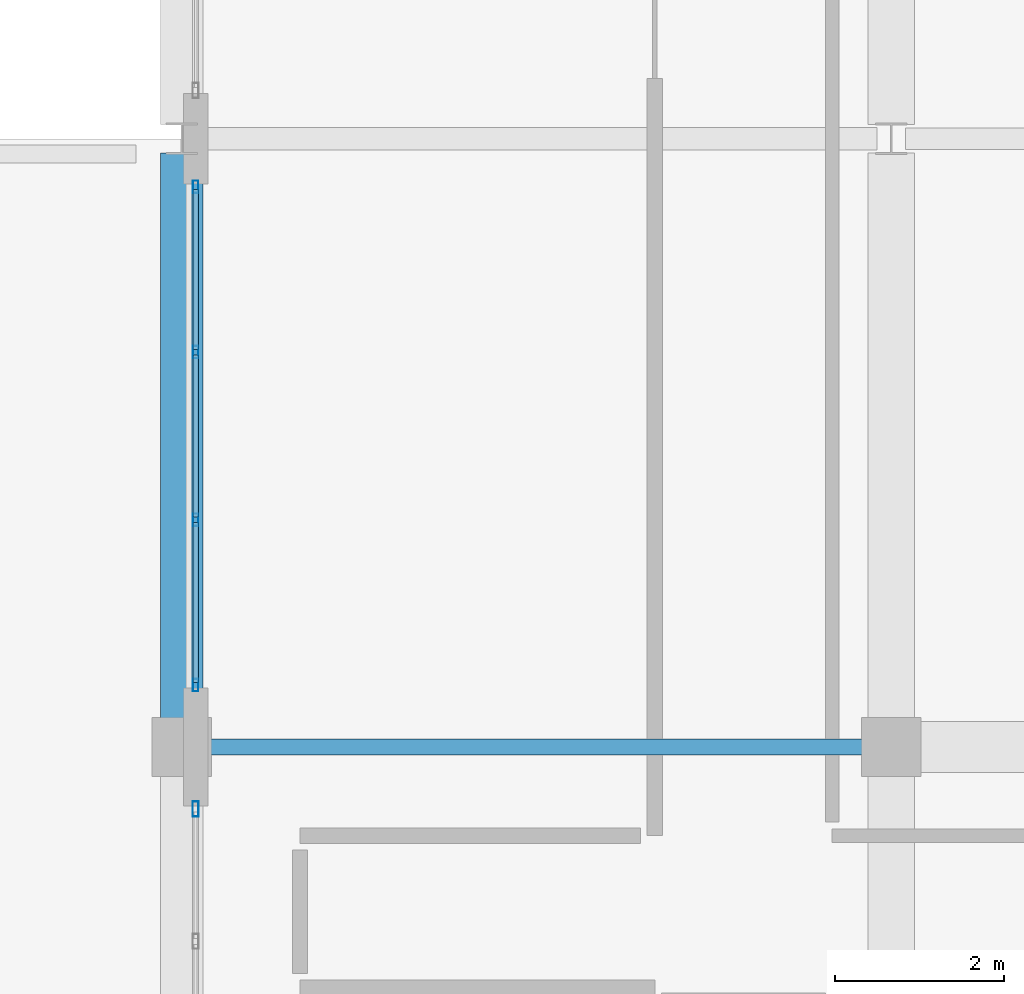
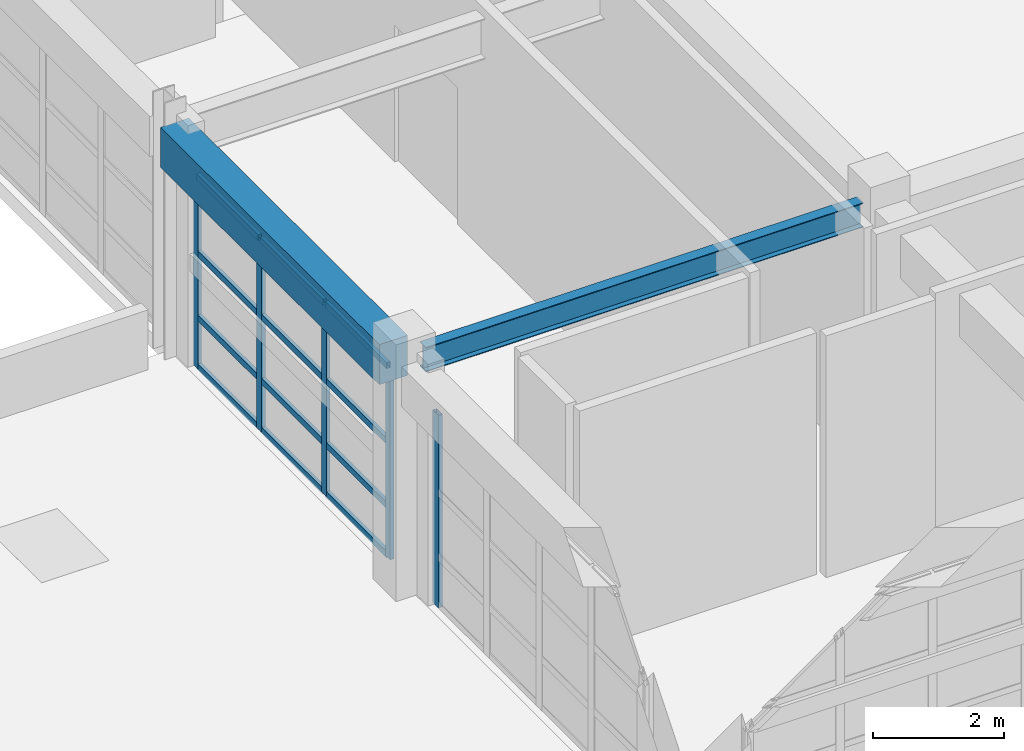
# One storey, part 33 of 123: 17 members, 2 beams, 2 elements without a shape of their own.
"""IFC4 building model written with IfcOpenShell, lengths in metres."""

import ifcopenshell
import ifcopenshell.guid

model = None  # the IFC model being written
_history = None  # IfcOwnerHistory: only IFC2X3 demands one
_inside = {}  # id of a spatial element -> (the spatial element, [elements in it])
_under = {}  # id of a project, library or spatial element -> (it, [spatial elements below it])
_declared = {}  # id of a project -> (the project, [libraries it declares])
_typed = {}  # id of a type object -> (the type object, [elements of that type])
_made_of = {}  # id of a material, layer set ... -> (it, [elements and type objects made of it])


def new_model(schema):
    """Start an empty IFC model of exactly this schema.

    Asked for "IFC4X3", IfcOpenShell would pick the latest addendum, in which some entities
    have other attributes; the version numbers below select the first issue.
    IFC2X3 requires an IfcOwnerHistory on every rooted entity: one is made here for all.
    """
    global model, _history
    if schema == "IFC4X3":
        model = ifcopenshell.file(schema_version=(4, 3, 0, 0))
    else:
        model = ifcopenshell.file(schema=schema)
    _inside.clear()
    _under.clear()
    _declared.clear()
    _typed.clear()
    _made_of.clear()
    _history = None
    if model.schema == "IFC2X3":
        org = make("IfcOrganization", Name="unknown")
        user = make(
            "IfcPersonAndOrganization",
            ThePerson=make("IfcPerson", FamilyName="unknown"),
            TheOrganization=org,
        )
        app = make(
            "IfcApplication",
            ApplicationDeveloper=org,
            Version="unknown",
            ApplicationFullName="unknown",
            ApplicationIdentifier="unknown",
        )
        _history = make(
            "IfcOwnerHistory",
            OwningUser=user,
            OwningApplication=app,
            ChangeAction="ADDED",
            CreationDate=0,
        )
    return model


def make(cls, **values):
    """One entity of the class cls with the attributes given. An attribute that is None is left unset."""
    return model.create_entity(
        cls, **{name: value for name, value in values.items() if value is not None}
    )


def rooted(cls, **values):
    """An entity with a GlobalId (a new one), such as an element, a storey or a relation."""
    return make(cls, GlobalId=ifcopenshell.guid.new(), OwnerHistory=_history, **values)


def si_unit(unit_type, name, prefix=None):
    """IfcSIUnit, for example si_unit("LENGTHUNIT", "METRE", prefix="MILLI")."""
    return make("IfcSIUnit", UnitType=unit_type, Prefix=prefix, Name=name)


def assignment(units):
    """IfcUnitAssignment: the units of a project."""
    return None if units is None else make("IfcUnitAssignment", Units=units)


def point(xyz):
    """IfcCartesianPoint."""
    return None if xyz is None else make("IfcCartesianPoint", Coordinates=xyz)


def direction(xyz):
    """IfcDirection."""
    return None if xyz is None else make("IfcDirection", DirectionRatios=xyz)


def frame(location, z_axis=None, x_axis=None):
    """IfcAxis2Placement3D, a coordinate frame: its origin and axes. An axis left out is left unset."""
    return make(
        "IfcAxis2Placement3D",
        Location=point(location),
        Axis=direction(z_axis),
        RefDirection=direction(x_axis),
    )


def frame_2d(location, x_axis=None):
    """IfcAxis2Placement2D, a coordinate frame in the plane: its origin and x axis."""
    return make(
        "IfcAxis2Placement2D", Location=point(location), RefDirection=direction(x_axis)
    )


def origin():
    """The frame at (0, 0, 0) with its axes left unset."""
    return frame((0.0, 0.0, 0.0))


def origin_2d():
    """The frame at (0, 0) in the plane with its x axis left unset."""
    return frame_2d((0.0, 0.0))


def place(relative_to, where):
    """IfcLocalPlacement: puts the frame where relative to a parent placement (None: the world)."""
    return make(
        "IfcLocalPlacement", PlacementRelTo=relative_to, RelativePlacement=where
    )


def context(
    kind, dimensions, precision=None, world=None, true_north=None, identifier=None
):
    """IfcGeometricRepresentationContext, for example the 3D "Model" context."""
    return make(
        "IfcGeometricRepresentationContext",
        ContextIdentifier=identifier,
        ContextType=kind,
        CoordinateSpaceDimension=dimensions,
        Precision=precision,
        WorldCoordinateSystem=world,
        TrueNorth=true_north,
    )


def subcontext(parent, identifier, kind, view, scale=None):
    """IfcGeometricRepresentationSubContext, for example "Body" below "Model"."""
    return make(
        "IfcGeometricRepresentationSubContext",
        ContextIdentifier=identifier,
        ContextType=kind,
        ParentContext=parent,
        TargetScale=scale,
        TargetView=view,
    )


def project(units=None, contexts=None):
    """IfcProject with its units and contexts."""
    return rooted(
        "IfcProject",
        Name="project",
        RepresentationContexts=contexts,
        UnitsInContext=assignment(units),
    )


def spatial(cls, under=None, at=None, **own):
    """A site, building, storey or space (cls), placed at a placement, below another one or the project."""
    s = rooted(cls, ObjectPlacement=at, **own)
    if under is not None:
        _under.setdefault(under.id(), (under, []))[1].append(s)
    return s


def profile(cls, at=None, kind="AREA", **sizes):
    """A parametric profile (cls). Its sizes go by their IFC names, for example OverallWidth=200.0."""
    return make(cls, ProfileType=kind, Position=at, **sizes)


def rectangle(**sizes):
    """IfcRectangleProfileDef."""
    return profile("IfcRectangleProfileDef", **sizes)


def hollow_rectangle(**sizes):
    """IfcRectangleHollowProfileDef."""
    return profile("IfcRectangleHollowProfileDef", **sizes)


def i_section(**sizes):
    """IfcIShapeProfileDef."""
    return profile("IfcIShapeProfileDef", **sizes)


def extrude(swept, where, along, depth):
    """IfcExtrudedAreaSolid: the profile swept, set in the frame where, extruded along a direction by depth."""
    return make(
        "IfcExtrudedAreaSolid",
        SweptArea=swept,
        Position=where,
        ExtrudedDirection=direction(along),
        Depth=depth,
    )


def shape(context_of_items, identifier, shape_type, items):
    """IfcShapeRepresentation: the items that make up one representation, for example the "Body"."""
    return make(
        "IfcShapeRepresentation",
        ContextOfItems=context_of_items,
        RepresentationIdentifier=identifier,
        RepresentationType=shape_type,
        Items=items,
    )


def material(Name=None, Category=None):
    """IfcMaterial."""
    return make("IfcMaterial", Name=Name, Category=Category)


def layer(
    of_material, thickness, ventilated=None, Name=None, Category=None, Priority=None
):
    """IfcMaterialLayer: one layer of a wall or slab, of a material (None: an air gap)."""
    return make(
        "IfcMaterialLayer",
        Material=of_material,
        LayerThickness=thickness,
        IsVentilated=ventilated,
        Name=Name,
        Category=Category,
        Priority=Priority,
    )


def layer_set(layers, Name=None):
    """IfcMaterialLayerSet."""
    return make("IfcMaterialLayerSet", MaterialLayers=layers, LayerSetName=Name)


def material_profile(
    of_material, cross_section, Name=None, Category=None, Priority=None
):
    """IfcMaterialProfile: a cross section and its material."""
    return make(
        "IfcMaterialProfile",
        Name=Name,
        Material=of_material,
        Profile=cross_section,
        Priority=Priority,
        Category=Category,
    )


def profile_set(profiles, Name=None, composite=None):
    """IfcMaterialProfileSet."""
    return make(
        "IfcMaterialProfileSet",
        Name=Name,
        MaterialProfiles=profiles,
        CompositeProfile=composite,
    )


def made_of(thing, what):
    """Note that an element or type object is made of a material, layer set ...; save() writes the relation."""
    if what is not None:
        _made_of.setdefault(what.id(), (what, []))[1].append(thing)
    return thing


def type_object(cls, material=None, **own):
    """A type object (cls), such as IfcWallType, which elements share."""
    return made_of(rooted(cls, **own), material)


def element(
    cls,
    number,
    at=None,
    inside=None,
    cuts=None,
    type_object=None,
    material=None,
    context=None,
    identifier="Body",
    shape_type=None,
    held_by="IfcProductDefinitionShape",
    body=None,
    shapes=None,
    **own,
):
    """One element of the class cls, such as IfcWall. Its Tag is "e" and its number.

    at: its placement. inside: the storey or other place that contains it. cuts: it is an
    opening in that element (IfcRelVoidsElement). A single representation is given by context,
    identifier, shape_type and body (its items); several are given by shapes. held_by: the class
    of the entity that holds the representations. save() writes the other relations.
    """
    e = rooted(cls, Tag="e%d" % number, ObjectPlacement=at, **own)
    if body is not None:
        shapes = [shape(context, identifier, shape_type, body)]
    if shapes is not None:
        e.Representation = make(held_by, Representations=shapes)
    if inside is not None:
        _inside.setdefault(inside.id(), (inside, []))[1].append(e)
    if cuts is not None:
        rooted(
            "IfcRelVoidsElement", RelatingBuildingElement=cuts, RelatedOpeningElement=e
        )
    if type_object is not None:
        _typed.setdefault(type_object.id(), (type_object, []))[1].append(e)
    return made_of(e, material)


def aggregate(whole, parts):
    """IfcRelAggregates: a whole, such as a stair, and the parts it consists of."""
    return rooted("IfcRelAggregates", RelatingObject=whole, RelatedObjects=parts)


def save(model, path):
    """Write the relations noted so far, then the file.

    IfcRelAggregates (storeys below a building ...), IfcRelContainedInSpatialStructure (elements
    in a storey), IfcRelDefinesByType, IfcRelAssociatesMaterial and IfcRelDeclares: one each for
    every whole, place, type object, material and project.
    """
    for whole, parts in _under.values():
        aggregate(whole, parts)
    for where, things in _inside.values():
        rooted(
            "IfcRelContainedInSpatialStructure",
            RelatedElements=things,
            RelatingStructure=where,
        )
    for kind, things in _typed.values():
        rooted("IfcRelDefinesByType", RelatedObjects=things, RelatingType=kind)
    for what, things in _made_of.values():
        rooted("IfcRelAssociatesMaterial", RelatedObjects=things, RelatingMaterial=what)
    for by, libraries in _declared.values():
        rooted("IfcRelDeclares", RelatingContext=by, RelatedDefinitions=libraries)
    model.write(path)


model = new_model("IFC4")

# Units and contexts
model_context = context("Model", 3, precision=1e-05, world=origin(), true_north=direction((0.0, 1.0)))
body_context = subcontext(model_context, "Body", "Model", "MODEL_VIEW")
ifc_project = project(units=[si_unit("LENGTHUNIT", "METRE"), si_unit("AREAUNIT", "SQUARE_METRE"), si_unit("VOLUMEUNIT", "CUBIC_METRE"), si_unit("PLANEANGLEUNIT", "RADIAN"), si_unit("MASSUNIT", "GRAM", prefix="KILO")], contexts=[model_context])

# Site, building, storey
site_placement = place(None, origin())
site = spatial("IfcSite", under=ifc_project, at=site_placement, CompositionType="ELEMENT")
building_placement = place(site_placement, origin())
building = spatial("IfcBuilding", under=site, at=building_placement, Name="Quendrovan Civic Courthouse", CompositionType="ELEMENT")
storey_placement = place(building_placement, frame((0.0, 0.0, 5.39990234375)))
storey = spatial("IfcBuildingStorey", under=building, at=storey_placement, Name="L02", CompositionType="ELEMENT", Elevation=5.39990234375)

# Beams
ifc_material_1 = material(Name="Concrete C40/50", Category="concrete")
ifc_material_profile_1 = material_profile(ifc_material_1, rectangle(XDim=0.5, YDim=0.75, at=origin_2d()), Name="RC-BM-500x750")
ifc_profile_set_1 = profile_set([ifc_material_profile_1], Name="Concrete C40/50")
beam_type_1 = type_object("IfcBeamType", Name="BM-RC750", PredefinedType="SPANDREL", material=ifc_profile_set_1)
beam_1_placement = place(storey_placement, frame((33.60009765625, 73.530029296875, 3.985107421875), z_axis=(0.0, 1.0, 0.0), x_axis=(-1.0, 0.0, 0.0)))
element("IfcBeam", 1, at=beam_1_placement, inside=storey, type_object=beam_type_1, Name="L02 Girder Y0638", PredefinedType="SPANDREL", context=body_context, shape_type="SweptSolid", body=[
    extrude(rectangle(XDim=0.5, YDim=0.75, at=origin_2d()), origin(), (0.0, 0.0, 1.0), 6.703857421875),
])
ifc_material_2 = material(Name="Steel ASTM A992 Grade 50", Category="steel")
ifc_material_profile_2 = material_profile(ifc_material_2, i_section(OverallWidth=0.18994140625, OverallDepth=0.45703125, WebThickness=0.009033203125, FlangeThickness=0.014404296875, at=origin_2d()), Name="W18X50")
ifc_profile_set_2 = profile_set([ifc_material_profile_2], Name="Steel ASTM A992 Grade 50")
beam_type_2 = type_object("IfcBeamType", Name="BM-STL-W18", PredefinedType="JOIST", material=ifc_profile_set_2)
beam_2_placement = place(storey_placement, frame((33.929931640625, 73.199951171875, 4.131591796875), z_axis=(1.0, 0.0, 0.0), x_axis=(0.0, 1.0, 0.0)))
element("IfcBeam", 2, at=beam_2_placement, inside=storey, type_object=beam_type_2, Name="L02 Girder X0540", PredefinedType="JOIST", context=body_context, shape_type="SweptSolid", body=[
    extrude(i_section(OverallWidth=0.18994140625, OverallDepth=0.45703125, WebThickness=0.009033203125, FlangeThickness=0.014404296875, at=origin_2d()), origin(), (0.0, 0.0, 1.0), 7.739990234375),
])

# Curtain wall, member
ifc_material_3 = material(Name="Bronze anodised aluminium and low-E glass", Category="aluminium")
ifc_layer_1 = layer(ifc_material_3, 0.179931640625, Name="Bronze anodised aluminium and low-E glass")
ifc_layer_set_1 = layer_set([ifc_layer_1], Name="Bronze anodised aluminium and low-E glass")
curtain_wall_type_1 = type_object("IfcCurtainWallType", Name="CW-U64x36", PredefinedType="USERDEFINED", material=ifc_layer_set_1)
curtain_wall_1_placement = place(storey_placement, origin())
curtain_wall_1 = element("IfcCurtainWall", 3, at=curtain_wall_1_placement, inside=storey, type_object=curtain_wall_type_1, Name="L02 Unitised Hurricane Curtain Wall CW-114", ObjectType="UNITISED CURTAIN WALL", PredefinedType="USERDEFINED")
ifc_material_4 = material(Name="Bronze anodised aluminium", Category="aluminium")
ifc_material_profile_3 = material_profile(ifc_material_4, hollow_rectangle(XDim=0.070068359375, YDim=0.179931640625, WallThickness=0.00390625, at=origin_2d()), Name="CW-MULL-70x180")
ifc_profile_set_3 = profile_set([ifc_material_profile_3], Name="Bronze anodised aluminium")
member_type_1 = type_object("IfcMemberType", Name="CW-MULL-A", PredefinedType="MULLION", material=ifc_profile_set_3)
member_1_placement = place(storey_placement, frame((33.764892578125, 72.465087890625, 0.0), z_axis=(0.0, 0.0, 1.0), x_axis=(-1.0, 0.0, 0.0)))
member_1 = element("IfcMember", 4, at=member_1_placement, type_object=member_type_1, Name="CW-114 mullion 5", PredefinedType="MULLION", context=body_context, shape_type="SweptSolid", body=[
    extrude(hollow_rectangle(XDim=0.070068359375, YDim=0.179931640625, WallThickness=0.00390625, at=origin_2d()), origin(), (0.0, 0.0, 1.0), 3.60009765625),
])
aggregate(curtain_wall_1, [member_1])

# Curtain wall, members
ifc_layer_2 = layer(ifc_material_3, 0.179931640625, Name="Bronze anodised aluminium and low-E glass")
ifc_layer_set_2 = layer_set([ifc_layer_2], Name="Bronze anodised aluminium and low-E glass")
curtain_wall_type_2 = type_object("IfcCurtainWallType", Name="CW-U60x36", PredefinedType="USERDEFINED", material=ifc_layer_set_2)
curtain_wall_2_placement = place(storey_placement, origin())
curtain_wall_2 = element("IfcCurtainWall", 5, at=curtain_wall_2_placement, inside=storey, type_object=curtain_wall_type_2, Name="L02 Unitised Hurricane Curtain Wall CW-115", ObjectType="UNITISED CURTAIN WALL", PredefinedType="USERDEFINED")
ifc_material_profile_4 = material_profile(ifc_material_4, hollow_rectangle(XDim=0.06494140625, YDim=0.14990234375, WallThickness=0.00390625, at=origin_2d()), Name="CW-MULL-65x150")
ifc_profile_set_4 = profile_set([ifc_material_profile_4], Name="Bronze anodised aluminium")
member_type_2 = type_object("IfcMemberType", Name="CW-MULL-B", PredefinedType="MULLION", material=ifc_profile_set_4)
member_2_placement = place(storey_placement, frame((33.764892578125, 73.9326171875, 0.0), z_axis=(0.0, 0.0, 1.0), x_axis=(-1.0, 0.0, 0.0)))
member_2 = element("IfcMember", 6, at=member_2_placement, type_object=member_type_2, Name="CW-115 mullion 1", PredefinedType="MULLION", context=body_context, shape_type="SweptSolid", body=[
    extrude(hollow_rectangle(XDim=0.06494140625, YDim=0.14990234375, WallThickness=0.00390625, at=origin_2d()), origin(), (0.0, 0.0, 1.0), 3.60009765625),
])
member_3_placement = place(storey_placement, frame((33.764892578125, 75.8876953125, 0.0), z_axis=(0.0, 0.0, 1.0), x_axis=(-1.0, 0.0, 0.0)))
member_3 = element("IfcMember", 7, at=member_3_placement, type_object=member_type_2, Name="CW-115 mullion 2", PredefinedType="MULLION", context=body_context, shape_type="SweptSolid", body=[
    extrude(hollow_rectangle(XDim=0.06494140625, YDim=0.14990234375, WallThickness=0.00390625, at=origin_2d()), origin(), (0.0, 0.0, 1.0), 3.60009765625),
])
member_4_placement = place(storey_placement, frame((33.764892578125, 77.875244140625, 0.0), z_axis=(0.0, 0.0, 1.0), x_axis=(-1.0, 0.0, 0.0)))
member_4 = element("IfcMember", 8, at=member_4_placement, type_object=member_type_2, Name="CW-115 mullion 3", PredefinedType="MULLION", context=body_context, shape_type="SweptSolid", body=[
    extrude(hollow_rectangle(XDim=0.06494140625, YDim=0.14990234375, WallThickness=0.00390625, at=origin_2d()), origin(), (0.0, 0.0, 1.0), 3.60009765625),
])
member_5_placement = place(storey_placement, frame((33.764892578125, 79.83056640625, 0.0), z_axis=(0.0, 0.0, 1.0), x_axis=(-1.0, 0.0, 0.0)))
member_5 = element("IfcMember", 9, at=member_5_placement, type_object=member_type_2, Name="CW-115 mullion 4", PredefinedType="MULLION", context=body_context, shape_type="SweptSolid", body=[
    extrude(hollow_rectangle(XDim=0.06494140625, YDim=0.14990234375, WallThickness=0.00390625, at=origin_2d()), origin(), (0.0, 0.0, 1.0), 3.60009765625),
])
ifc_material_profile_5 = material_profile(ifc_material_4, hollow_rectangle(XDim=0.06494140625, YDim=0.114990234375, WallThickness=0.00390625, at=origin_2d()), Name="CW-TRAN-65x115")
ifc_profile_set_5 = profile_set([ifc_material_profile_5], Name="Bronze anodised aluminium")
member_type_3 = type_object("IfcMemberType", Name="CW-TRAN-B", PredefinedType="USERDEFINED", material=ifc_profile_set_5)
member_6_placement = place(storey_placement, frame((33.764892578125, 73.965087890625, 0.03271484375), z_axis=(0.0, 1.0, 0.0), x_axis=(-1.0, 0.0, 0.0)))
member_6 = element("IfcMember", 10, at=member_6_placement, type_object=member_type_3, Name="CW-115 transom 1.1", ObjectType="TRANSOM", PredefinedType="USERDEFINED", context=body_context, shape_type="SweptSolid", body=[
    extrude(hollow_rectangle(XDim=0.06494140625, YDim=0.114990234375, WallThickness=0.00390625, at=origin_2d()), origin(), (0.0, 0.0, 1.0), 1.89013671875),
])
member_7_placement = place(storey_placement, frame((33.764892578125, 73.965087890625, 0.9501953125), z_axis=(0.0, 1.0, 0.0), x_axis=(-1.0, 0.0, 0.0)))
member_7 = element("IfcMember", 11, at=member_7_placement, type_object=member_type_3, Name="CW-115 transom 1.2", ObjectType="TRANSOM", PredefinedType="USERDEFINED", context=body_context, shape_type="SweptSolid", body=[
    extrude(hollow_rectangle(XDim=0.06494140625, YDim=0.114990234375, WallThickness=0.00390625, at=origin_2d()), origin(), (0.0, 0.0, 1.0), 1.89013671875),
])
member_8_placement = place(storey_placement, frame((33.764892578125, 73.965087890625, 2.150146484375), z_axis=(0.0, 1.0, 0.0), x_axis=(-1.0, 0.0, 0.0)))
member_8 = element("IfcMember", 12, at=member_8_placement, type_object=member_type_3, Name="CW-115 transom 1.3", ObjectType="TRANSOM", PredefinedType="USERDEFINED", context=body_context, shape_type="SweptSolid", body=[
    extrude(hollow_rectangle(XDim=0.06494140625, YDim=0.114990234375, WallThickness=0.00390625, at=origin_2d()), origin(), (0.0, 0.0, 1.0), 1.89013671875),
])
member_9_placement = place(storey_placement, frame((33.764892578125, 73.965087890625, 3.567626953125), z_axis=(0.0, 1.0, 0.0), x_axis=(-1.0, 0.0, 0.0)))
member_9 = element("IfcMember", 13, at=member_9_placement, type_object=member_type_3, Name="CW-115 transom 1.4", ObjectType="TRANSOM", PredefinedType="USERDEFINED", context=body_context, shape_type="SweptSolid", body=[
    extrude(hollow_rectangle(XDim=0.06494140625, YDim=0.114990234375, WallThickness=0.00390625, at=origin_2d()), origin(), (0.0, 0.0, 1.0), 1.89013671875),
])
member_10_placement = place(storey_placement, frame((33.764892578125, 75.920166015625, 0.03271484375), z_axis=(0.0, 1.0, 0.0), x_axis=(-1.0, 0.0, 0.0)))
member_10 = element("IfcMember", 14, at=member_10_placement, type_object=member_type_3, Name="CW-115 transom 2.1", ObjectType="TRANSOM", PredefinedType="USERDEFINED", context=body_context, shape_type="SweptSolid", body=[
    extrude(hollow_rectangle(XDim=0.06494140625, YDim=0.114990234375, WallThickness=0.00390625, at=origin_2d()), origin(), (0.0, 0.0, 1.0), 1.922607421875),
])
member_11_placement = place(storey_placement, frame((33.764892578125, 75.920166015625, 0.9501953125), z_axis=(0.0, 1.0, 0.0), x_axis=(-1.0, 0.0, 0.0)))
member_11 = element("IfcMember", 15, at=member_11_placement, type_object=member_type_3, Name="CW-115 transom 2.2", ObjectType="TRANSOM", PredefinedType="USERDEFINED", context=body_context, shape_type="SweptSolid", body=[
    extrude(hollow_rectangle(XDim=0.06494140625, YDim=0.114990234375, WallThickness=0.00390625, at=origin_2d()), origin(), (0.0, 0.0, 1.0), 1.922607421875),
])
member_12_placement = place(storey_placement, frame((33.764892578125, 75.920166015625, 2.150146484375), z_axis=(0.0, 1.0, 0.0), x_axis=(-1.0, 0.0, 0.0)))
member_12 = element("IfcMember", 16, at=member_12_placement, type_object=member_type_3, Name="CW-115 transom 2.3", ObjectType="TRANSOM", PredefinedType="USERDEFINED", context=body_context, shape_type="SweptSolid", body=[
    extrude(hollow_rectangle(XDim=0.06494140625, YDim=0.114990234375, WallThickness=0.00390625, at=origin_2d()), origin(), (0.0, 0.0, 1.0), 1.922607421875),
])
member_13_placement = place(storey_placement, frame((33.764892578125, 75.920166015625, 3.567626953125), z_axis=(0.0, 1.0, 0.0), x_axis=(-1.0, 0.0, 0.0)))
member_13 = element("IfcMember", 17, at=member_13_placement, type_object=member_type_3, Name="CW-115 transom 2.4", ObjectType="TRANSOM", PredefinedType="USERDEFINED", context=body_context, shape_type="SweptSolid", body=[
    extrude(hollow_rectangle(XDim=0.06494140625, YDim=0.114990234375, WallThickness=0.00390625, at=origin_2d()), origin(), (0.0, 0.0, 1.0), 1.922607421875),
])
member_14_placement = place(storey_placement, frame((33.764892578125, 77.90771484375, 0.03271484375), z_axis=(0.0, 1.0, 0.0), x_axis=(-1.0, 0.0, 0.0)))
member_14 = element("IfcMember", 18, at=member_14_placement, type_object=member_type_3, Name="CW-115 transom 3.1", ObjectType="TRANSOM", PredefinedType="USERDEFINED", context=body_context, shape_type="SweptSolid", body=[
    extrude(hollow_rectangle(XDim=0.06494140625, YDim=0.114990234375, WallThickness=0.00390625, at=origin_2d()), origin(), (0.0, 0.0, 1.0), 1.890380859375),
])
member_15_placement = place(storey_placement, frame((33.764892578125, 77.90771484375, 0.9501953125), z_axis=(0.0, 1.0, 0.0), x_axis=(-1.0, 0.0, 0.0)))
member_15 = element("IfcMember", 19, at=member_15_placement, type_object=member_type_3, Name="CW-115 transom 3.2", ObjectType="TRANSOM", PredefinedType="USERDEFINED", context=body_context, shape_type="SweptSolid", body=[
    extrude(hollow_rectangle(XDim=0.06494140625, YDim=0.114990234375, WallThickness=0.00390625, at=origin_2d()), origin(), (0.0, 0.0, 1.0), 1.890380859375),
])
member_16_placement = place(storey_placement, frame((33.764892578125, 77.90771484375, 2.150146484375), z_axis=(0.0, 1.0, 0.0), x_axis=(-1.0, 0.0, 0.0)))
member_16 = element("IfcMember", 20, at=member_16_placement, type_object=member_type_3, Name="CW-115 transom 3.3", ObjectType="TRANSOM", PredefinedType="USERDEFINED", context=body_context, shape_type="SweptSolid", body=[
    extrude(hollow_rectangle(XDim=0.06494140625, YDim=0.114990234375, WallThickness=0.00390625, at=origin_2d()), origin(), (0.0, 0.0, 1.0), 1.890380859375),
])
member_17_placement = place(storey_placement, frame((33.764892578125, 77.90771484375, 3.567626953125), z_axis=(0.0, 1.0, 0.0), x_axis=(-1.0, 0.0, 0.0)))
member_17 = element("IfcMember", 21, at=member_17_placement, type_object=member_type_3, Name="CW-115 transom 3.4", ObjectType="TRANSOM", PredefinedType="USERDEFINED", context=body_context, shape_type="SweptSolid", body=[
    extrude(hollow_rectangle(XDim=0.06494140625, YDim=0.114990234375, WallThickness=0.00390625, at=origin_2d()), origin(), (0.0, 0.0, 1.0), 1.890380859375),
])
aggregate(curtain_wall_2, [member_2, member_3, member_4, member_5, member_6, member_7, member_8, member_9, member_10, member_11, member_12, member_13, member_14, member_15, member_16, member_17])

save(model, "model.ifc")
